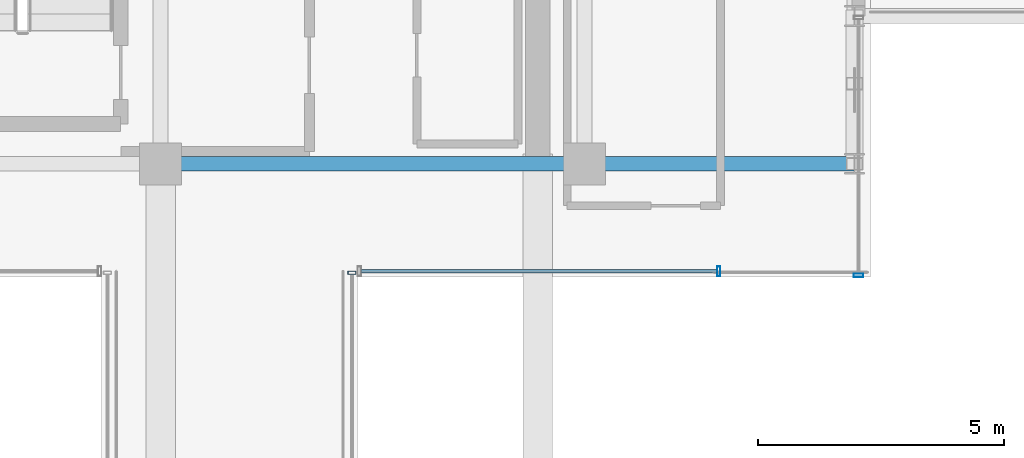
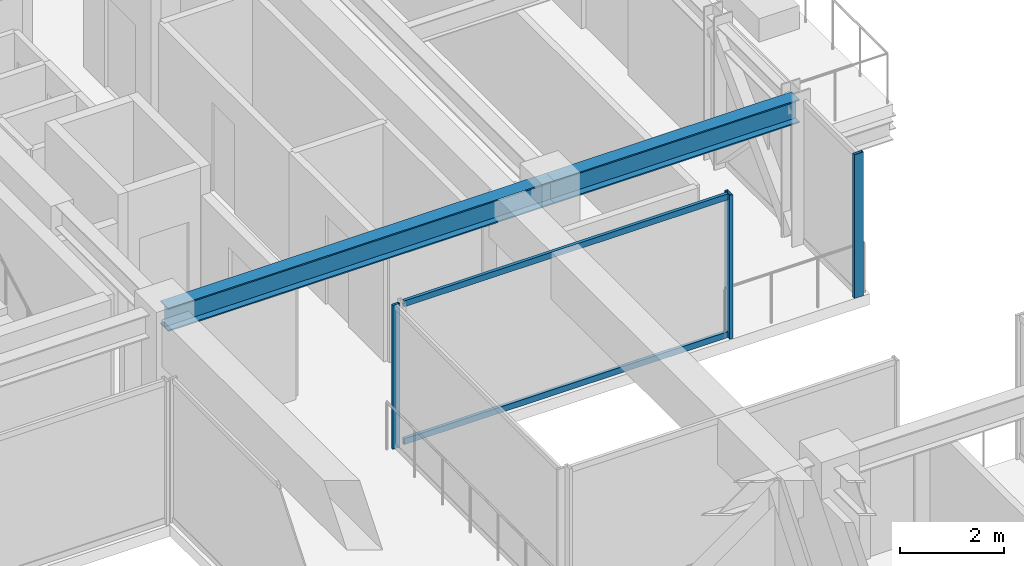
# One storey, part 17 of 38: 5 members, 2 beams, 3 elements without a shape of their own.
"""IFC4 building model written with IfcOpenShell, lengths in metres."""

from ifc_helpers import new_model, si_unit, direction, frame, origin, origin_2d, place, context, subcontext, project, spatial, hollow_rectangle, i_section, extrude, source, transform, mapped, material, material_profile, profile_set, type_object, element, aggregate, save


model = new_model("IFC4")

# Units and contexts
model_context = context("Model", 3, precision=1e-05, world=origin(), true_north=direction((0.0, 1.0)))
body_context = subcontext(model_context, "Body", "Model", "MODEL_VIEW")
ifc_project = project(units=[si_unit("LENGTHUNIT", "METRE"), si_unit("AREAUNIT", "SQUARE_METRE"), si_unit("VOLUMEUNIT", "CUBIC_METRE"), si_unit("PLANEANGLEUNIT", "RADIAN"), si_unit("MASSUNIT", "GRAM", prefix="KILO")], contexts=[model_context])

# Site, building, storey
site_placement = place(None, origin())
site = spatial("IfcSite", under=ifc_project, at=site_placement, CompositionType="ELEMENT")
building_placement = place(site_placement, origin())
building = spatial("IfcBuilding", under=site, at=building_placement, Name="Nahalor Promenade Grand Hotel", CompositionType="ELEMENT")
storey_placement = place(building_placement, frame((0.0, 0.0, 178.199951171875)))
storey = spatial("IfcBuildingStorey", under=building, at=storey_placement, Name="L45", CompositionType="ELEMENT", Elevation=178.199951171875)

# Beams
ifc_material_1 = material(Name="Steel S355JR", Category="steel")
ifc_material_profile_1 = material_profile(ifc_material_1, i_section(OverallWidth=0.3, OverallDepth=0.55, WebThickness=0.015, FlangeThickness=0.029, at=origin_2d()), Name="HEB 550")
ifc_profile_set_1 = profile_set([ifc_material_profile_1], Name="Steel S355JR")
beam_type = type_object("IfcBeamType", Name="Beam-Girder-HEB550", PredefinedType="BEAM", material=ifc_profile_set_1)
shared_shape_1 = source(origin(), body_context, "Body", "SweptSolid", [
    extrude(i_section(OverallWidth=0.3, OverallDepth=0.55, WebThickness=0.015, FlangeThickness=0.029, at=origin_2d()), origin(), (0.0, 0.0, 1.0), 8.60009765625),
])
beam_1_placement = place(storey_placement, frame((8.39990234375, 5.39990234375, 3.114990234375), z_axis=(1.0, 0.0, 0.0), x_axis=(0.0, 1.0, 0.0)))
element("IfcBeam", 1, at=beam_1_placement, inside=storey, type_object=beam_type, Name="BM-L45-GX-2-5", PredefinedType="BEAM", context=body_context, shape_type="MappedRepresentation", body=[
    mapped(shared_shape_1, transform((0.0, 0.0, 0.0), scale=1.0)),
])
shared_shape_2 = source(origin(), body_context, "Body", "SweptSolid", [
    extrude(i_section(OverallWidth=0.3, OverallDepth=0.55, WebThickness=0.015, FlangeThickness=0.029, at=origin_2d()), origin(), (0.0, 0.0, 1.0), 5.47998046875),
])
beam_2_placement = place(storey_placement, frame((17.0, 5.39990234375, 3.114990234375), z_axis=(1.0, 0.0, 0.0), x_axis=(0.0, 1.0, 0.0)))
element("IfcBeam", 2, at=beam_2_placement, inside=storey, type_object=beam_type, Name="BM-L45-GX-2-6", PredefinedType="BEAM", context=body_context, shape_type="MappedRepresentation", body=[
    mapped(shared_shape_2, transform((0.0, 0.0, 0.0), scale=1.0)),
])

# Curtain wall, member
ifc_material_2 = material(Name="Anodised Bronze Aluminium EN AW-6063 T6", Category="aluminium")
curtain_wall_type_1 = type_object("IfcCurtainWallType", Name="CW3 Elliptical-Void Collar Unitised Curtain Wall", PredefinedType="USERDEFINED", material=ifc_material_2)
curtain_wall_1_placement = place(storey_placement, origin())
curtain_wall_1 = element("IfcCurtainWall", 3, at=curtain_wall_1_placement, inside=storey, type_object=curtain_wall_type_1, Name="L45 Curtain Wall CW-L45-E-2", ObjectType="UNITISED_CURTAIN_WALL", PredefinedType="USERDEFINED")
ifc_material_profile_2 = material_profile(ifc_material_2, hollow_rectangle(XDim=0.07, YDim=0.2, WallThickness=0.005, at=origin_2d()), Name="CWM 70x200x5")
ifc_profile_set_2 = profile_set([ifc_material_profile_2], Name="Anodised Bronze Aluminium EN AW-6063 T6")
member_type_1 = type_object("IfcMemberType", Name="CWM3 Void Collar Mullion 70x200", PredefinedType="MULLION", material=ifc_profile_set_2)
shared_shape_3 = source(origin(), body_context, "Body", "SweptSolid", [
    extrude(hollow_rectangle(XDim=0.07, YDim=0.2, WallThickness=0.005, at=origin_2d()), origin(), (0.0, 0.0, 1.0), 3.39013671875),
])
member_1_placement = place(storey_placement, frame((22.56005859375, 3.135009765625, 0.0), z_axis=(0.0, 0.0, 1.0), x_axis=(0.0, 1.0, 0.0)))
member_1 = element("IfcMember", 4, at=member_1_placement, type_object=member_type_1, Name="CW-L45-E-2 Mullion 0", PredefinedType="MULLION", context=body_context, shape_type="MappedRepresentation", body=[
    mapped(shared_shape_3, transform((0.0, 0.0, 0.0), scale=1.0)),
])
aggregate(curtain_wall_1, [member_1])

# Curtain wall, members
curtain_wall_2_placement = place(storey_placement, origin())
curtain_wall_2 = element("IfcCurtainWall", 5, at=curtain_wall_2_placement, inside=storey, type_object=curtain_wall_type_1, Name="L45 Curtain Wall CW-L45-VOID-EN1", ObjectType="UNITISED_CURTAIN_WALL", PredefinedType="USERDEFINED")
member_2_placement = place(storey_placement, frame((19.72509765625, 3.219970703125, 0.0), z_axis=(0.0, 0.0, 1.0), x_axis=(1.0, 0.0, 0.0)))
member_2 = element("IfcMember", 6, at=member_2_placement, type_object=member_type_1, Name="CW-L45-VOID-EN1 Mullion 1", PredefinedType="MULLION", context=body_context, shape_type="MappedRepresentation", body=[
    mapped(shared_shape_3, transform((0.0, 0.0, 0.0), scale=1.0)),
])
ifc_material_profile_3 = material_profile(ifc_material_2, hollow_rectangle(XDim=0.07, YDim=0.14, WallThickness=0.004, at=origin_2d()), Name="CWT 70x140x4")
ifc_profile_set_3 = profile_set([ifc_material_profile_3], Name="Anodised Bronze Aluminium EN AW-6063 T6")
member_type_2 = type_object("IfcMemberType", Name="CWT3 Void Collar Transom 70x140", PredefinedType="USERDEFINED", material=ifc_profile_set_3)
shared_shape_4 = source(origin(), body_context, "Body", "SweptSolid", [
    extrude(hollow_rectangle(XDim=0.07, YDim=0.14, WallThickness=0.004, at=origin_2d()), origin(), (0.0, 0.0, 1.0), 7.219970703125),
])
member_3_placement = place(storey_placement, frame((12.469970703125, 3.219970703125, 0.070068359375), z_axis=(1.0, 0.0, 0.0), x_axis=(0.0, 1.0, 0.0)))
member_3 = element("IfcMember", 7, at=member_3_placement, type_object=member_type_2, Name="CW-L45-VOID-EN1 Transom 0-0", ObjectType="TRANSOM", PredefinedType="USERDEFINED", context=body_context, shape_type="MappedRepresentation", body=[
    mapped(shared_shape_4, transform((0.0, 0.0, 0.0), scale=1.0)),
])
member_4_placement = place(storey_placement, frame((12.469970703125, 3.219970703125, 3.320068359375), z_axis=(1.0, 0.0, 0.0), x_axis=(0.0, 1.0, 0.0)))
member_4 = element("IfcMember", 8, at=member_4_placement, type_object=member_type_2, Name="CW-L45-VOID-EN1 Transom 0-1", ObjectType="TRANSOM", PredefinedType="USERDEFINED", context=body_context, shape_type="MappedRepresentation", body=[
    mapped(shared_shape_4, transform((0.0, 0.0, 0.0), scale=1.0)),
])
aggregate(curtain_wall_2, [member_2, member_3, member_4])

# Curtain wall, member
curtain_wall_type_2 = type_object("IfcCurtainWallType", Name="CW4 Low-Iron Sky-Gallery Bridge Curtain Wall", PredefinedType="USERDEFINED", material=ifc_material_2)
curtain_wall_3_placement = place(storey_placement, origin())
curtain_wall_3 = element("IfcCurtainWall", 9, at=curtain_wall_3_placement, inside=storey, type_object=curtain_wall_type_2, Name="L45 Curtain Wall CW-L45-BRG-E", ObjectType="UNITISED_CURTAIN_WALL", PredefinedType="USERDEFINED")
ifc_material_profile_4 = material_profile(ifc_material_2, hollow_rectangle(XDim=0.06, YDim=0.16, WallThickness=0.004, at=origin_2d()), Name="CWM 60x160x4")
ifc_profile_set_4 = profile_set([ifc_material_profile_4], Name="Anodised Bronze Aluminium EN AW-6063 T6")
member_type_3 = type_object("IfcMemberType", Name="CWM4 Sky-Gallery Slim Mullion 60x160", PredefinedType="MULLION", material=ifc_profile_set_4)
shared_shape_5 = source(origin(), body_context, "Body", "SweptSolid", [
    extrude(hollow_rectangle(XDim=0.06, YDim=0.16, WallThickness=0.004, at=origin_2d()), origin(), (0.0, 0.0, 1.0), 3.39013671875),
])
member_5_placement = place(storey_placement, frame((12.280029296875, 3.18994140625, 0.0), z_axis=(0.0, 0.0, 1.0), x_axis=(0.0, 1.0, 0.0)))
member_5 = element("IfcMember", 10, at=member_5_placement, type_object=member_type_3, Name="CW-L45-BRG-E Mullion 1", PredefinedType="MULLION", context=body_context, shape_type="MappedRepresentation", body=[
    mapped(shared_shape_5, transform((0.0, 0.0, 0.0), scale=1.0)),
])
aggregate(curtain_wall_3, [member_5])

save(model, "model.ifc")
